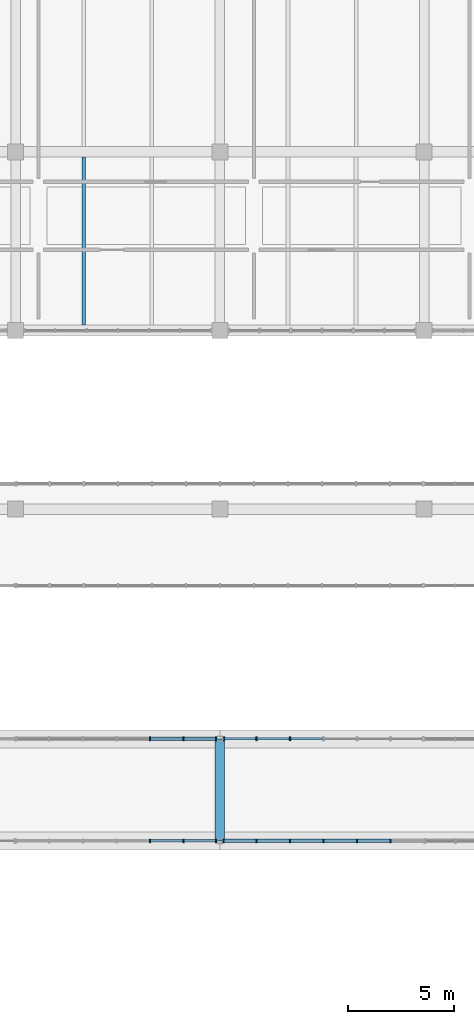
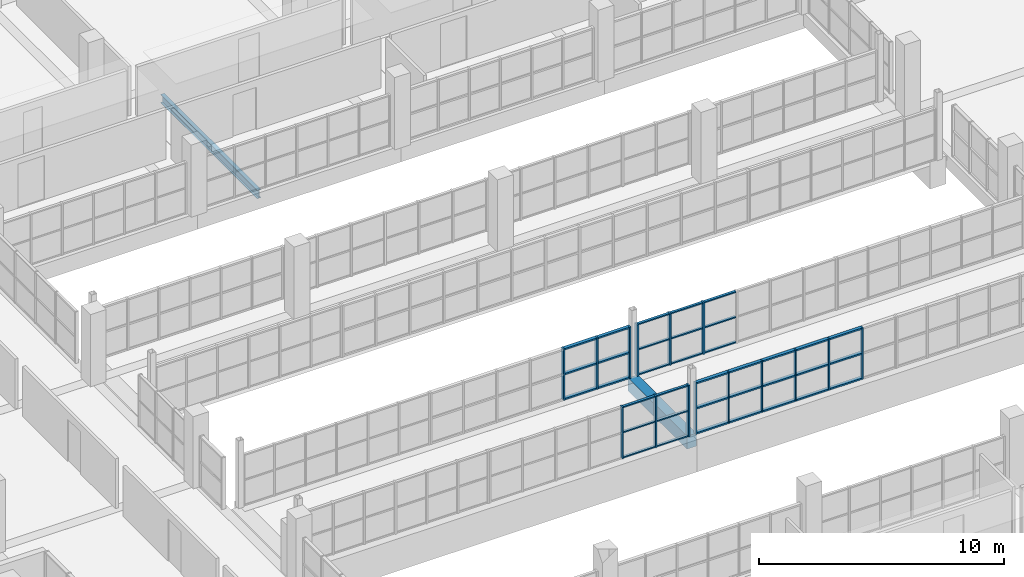
# One storey, part 62 of 147: 51 members, 2 beams, 4 elements without a shape of their own.
"""IFC4 building model written with IfcOpenShell, lengths in metres."""

from ifc_helpers import new_model, si_unit, direction, frame, origin, origin_2d, place, context, subcontext, project, spatial, rectangle, i_section, extrude, material, material_profile, profile_set, type_object, element, aggregate, save


model = new_model("IFC4")

# Units and contexts
model_context = context("Model", 3, precision=1e-05, world=origin(), true_north=direction((0.0, 1.0)))
body_context = subcontext(model_context, "Body", "Model", "MODEL_VIEW")
ifc_project = project(units=[si_unit("LENGTHUNIT", "METRE"), si_unit("AREAUNIT", "SQUARE_METRE"), si_unit("VOLUMEUNIT", "CUBIC_METRE"), si_unit("PLANEANGLEUNIT", "RADIAN"), si_unit("MASSUNIT", "GRAM", prefix="KILO")], contexts=[model_context])

# Site, building, storey
site_placement = place(None, origin())
site = spatial("IfcSite", under=ifc_project, at=site_placement, CompositionType="ELEMENT")
building_placement = place(site_placement, origin())
building = spatial("IfcBuilding", under=site, at=building_placement, Name="Oolite Switchyard Hospital", CompositionType="ELEMENT")
storey_placement = place(building_placement, frame((0.0, 0.0, 9.89990234375)))
storey = spatial("IfcBuildingStorey", under=building, at=storey_placement, Name="L02", CompositionType="ELEMENT", Elevation=9.89990234375)

# Beams
ifc_material_1 = material(Name="Concrete C40/50", Category="concrete")
ifc_material_profile_1 = material_profile(ifc_material_1, rectangle(XDim=0.449951171875, YDim=0.64990234375, at=origin_2d()), Name="RCB450X650")
ifc_profile_set_1 = profile_set([ifc_material_profile_1], Name="Concrete C40/50")
beam_type_1 = type_object("IfcBeamType", Name="BM-RC450X650", PredefinedType="BEAM", material=ifc_profile_set_1)
beam_1_placement = place(storey_placement, frame((163.199951171875, 34.800048828125, -0.324951171875), z_axis=(0.0, 1.0, 0.0), x_axis=(-1.0, 0.0, 0.0)))
element("IfcBeam", 1, at=beam_1_placement, inside=storey, type_object=beam_type_1, Name="L02 Y-Girder 1444", PredefinedType="BEAM", context=body_context, shape_type="SweptSolid", body=[
    extrude(rectangle(XDim=0.449951171875, YDim=0.64990234375, at=origin_2d()), origin(), (0.0, 0.0, 1.0), 4.800048828125),
])
ifc_material_2 = material(Name="Steel ASTM A992 Grade 50", Category="steel")
ifc_material_profile_2 = material_profile(ifc_material_2, i_section(OverallWidth=0.179931640625, OverallDepth=0.4130859375, WebThickness=0.010009765625, FlangeThickness=0.01611328125, at=origin_2d()), Name="W16X50")
ifc_profile_set_2 = profile_set([ifc_material_profile_2], Name="Steel ASTM A992 Grade 50")
beam_type_2 = type_object("IfcBeamType", Name="BM-W16X50", PredefinedType="JOIST", material=ifc_profile_set_2)
beam_2_placement = place(storey_placement, frame((156.800048828125, 59.050048828125, -0.4658203125), z_axis=(0.0, 1.0, 0.0), x_axis=(-1.0, 0.0, 0.0)))
element("IfcBeam", 2, at=beam_2_placement, inside=storey, type_object=beam_type_2, Name="L02 Secondary Steel Joist 1816", PredefinedType="JOIST", context=body_context, shape_type="SweptSolid", body=[
    extrude(i_section(OverallWidth=0.179931640625, OverallDepth=0.4130859375, WebThickness=0.010009765625, FlangeThickness=0.01611328125, at=origin_2d()), origin(), (0.0, 0.0, 1.0), 7.89990234375),
])

# Curtain wall, members
ifc_material_3 = material(Name="Thermally broken aluminum frame with laminated impact glazing", Category="aluminium")
curtain_wall_type = type_object("IfcCurtainWallType", Name="CW-BRG-96X38", PredefinedType="USERDEFINED", material=ifc_material_3)
curtain_wall_1_placement = place(storey_placement, origin())
curtain_wall_1 = element("IfcCurtainWall", 3, at=curtain_wall_1_placement, inside=storey, type_object=curtain_wall_type, Name="L02 Unitised Curtain Wall 229", ObjectType="UNITISED", PredefinedType="USERDEFINED")
ifc_material_4 = material(Name="Aluminium 6063-T6", Category="aluminium")
ifc_material_profile_3 = material_profile(ifc_material_4, rectangle(XDim=0.159912109375, YDim=0.06005859375, at=origin_2d()), Name="CWM60X160")
ifc_profile_set_3 = profile_set([ifc_material_profile_3], Name="Aluminium 6063-T6")
member_type_1 = type_object("IfcMemberType", Name="CW-MUL-180", PredefinedType="MULLION", material=ifc_profile_set_3)
member_1_placement = place(storey_placement, frame((171.2236328125, 34.800048828125, 0.0), z_axis=(0.0, 0.0, 1.0), x_axis=(0.0, -1.0, 0.0)))
member_1 = element("IfcMember", 4, at=member_1_placement, type_object=member_type_1, Name="CW-12 mullion 2", PredefinedType="MULLION", context=body_context, shape_type="SweptSolid", body=[
    extrude(rectangle(XDim=0.159912109375, YDim=0.06005859375, at=origin_2d()), origin(), (0.0, 0.0, 1.0), 2.570068359375),
])
member_2_placement = place(storey_placement, frame((169.647216796875, 34.800048828125, 0.0), z_axis=(0.0, 0.0, 1.0), x_axis=(0.0, -1.0, 0.0)))
member_2 = element("IfcMember", 5, at=member_2_placement, type_object=member_type_1, Name="CW-12 mullion 3", PredefinedType="MULLION", context=body_context, shape_type="SweptSolid", body=[
    extrude(rectangle(XDim=0.159912109375, YDim=0.06005859375, at=origin_2d()), origin(), (0.0, 0.0, 1.0), 2.570068359375),
])
member_3_placement = place(storey_placement, frame((168.071044921875, 34.800048828125, 0.0), z_axis=(0.0, 0.0, 1.0), x_axis=(0.0, -1.0, 0.0)))
member_3 = element("IfcMember", 6, at=member_3_placement, type_object=member_type_1, Name="CW-12 mullion 4", PredefinedType="MULLION", context=body_context, shape_type="SweptSolid", body=[
    extrude(rectangle(XDim=0.159912109375, YDim=0.06005859375, at=origin_2d()), origin(), (0.0, 0.0, 1.0), 2.570068359375),
])
member_4_placement = place(storey_placement, frame((166.49462890625, 34.800048828125, 0.0), z_axis=(0.0, 0.0, 1.0), x_axis=(0.0, -1.0, 0.0)))
member_4 = element("IfcMember", 7, at=member_4_placement, type_object=member_type_1, Name="CW-12 mullion 5", PredefinedType="MULLION", context=body_context, shape_type="SweptSolid", body=[
    extrude(rectangle(XDim=0.159912109375, YDim=0.06005859375, at=origin_2d()), origin(), (0.0, 0.0, 1.0), 2.570068359375),
])
member_5_placement = place(storey_placement, frame((164.918212890625, 34.800048828125, 0.0), z_axis=(0.0, 0.0, 1.0), x_axis=(0.0, -1.0, 0.0)))
member_5 = element("IfcMember", 8, at=member_5_placement, type_object=member_type_1, Name="CW-12 mullion 6", PredefinedType="MULLION", context=body_context, shape_type="SweptSolid", body=[
    extrude(rectangle(XDim=0.159912109375, YDim=0.06005859375, at=origin_2d()), origin(), (0.0, 0.0, 1.0), 2.570068359375),
])
member_6_placement = place(storey_placement, frame((163.3720703125, 34.800048828125, 0.0), z_axis=(0.0, 0.0, 1.0), x_axis=(0.0, -1.0, 0.0)))
member_6 = element("IfcMember", 9, at=member_6_placement, type_object=member_type_1, Name="CW-12 mullion 7", PredefinedType="MULLION", context=body_context, shape_type="SweptSolid", body=[
    extrude(rectangle(XDim=0.159912109375, YDim=0.06005859375, at=origin_2d()), origin(), (0.0, 0.0, 1.0), 2.570068359375),
])

curtain_wall_2_placement = place(storey_placement, origin())
curtain_wall_2 = element("IfcCurtainWall", 10, at=curtain_wall_2_placement, inside=storey, type_object=curtain_wall_type, Name="L02 Unitised Curtain Wall 230", ObjectType="UNITISED", PredefinedType="USERDEFINED")
ifc_material_profile_4 = material_profile(ifc_material_4, rectangle(XDim=0.179931640625, YDim=0.070068359375, at=origin_2d()), Name="CWM70X180")
ifc_profile_set_4 = profile_set([ifc_material_profile_4], Name="Aluminium 6063-T6")
member_type_2 = type_object("IfcMemberType", Name="CW-MUL-220", PredefinedType="MULLION", material=ifc_profile_set_4)
member_7_placement = place(storey_placement, frame((163.02294921875, 34.800048828125, 0.0), z_axis=(0.0, 0.0, 1.0), x_axis=(0.0, -1.0, 0.0)))
member_7 = element("IfcMember", 11, at=member_7_placement, type_object=member_type_2, Name="CW-12 mullion 1", PredefinedType="MULLION", context=body_context, shape_type="SweptSolid", body=[
    extrude(rectangle(XDim=0.179931640625, YDim=0.070068359375, at=origin_2d()), origin(), (0.0, 0.0, 1.0), 2.570068359375),
])
member_8_placement = place(storey_placement, frame((161.481689453125, 34.800048828125, 0.0), z_axis=(0.0, 0.0, 1.0), x_axis=(0.0, -1.0, 0.0)))
member_8 = element("IfcMember", 12, at=member_8_placement, type_object=member_type_2, Name="CW-12 mullion 2", PredefinedType="MULLION", context=body_context, shape_type="SweptSolid", body=[
    extrude(rectangle(XDim=0.179931640625, YDim=0.070068359375, at=origin_2d()), origin(), (0.0, 0.0, 1.0), 2.570068359375),
])
member_9_placement = place(storey_placement, frame((159.9052734375, 34.800048828125, 0.0), z_axis=(0.0, 0.0, 1.0), x_axis=(0.0, -1.0, 0.0)))
member_9 = element("IfcMember", 13, at=member_9_placement, type_object=member_type_2, Name="CW-12 mullion 3", PredefinedType="MULLION", context=body_context, shape_type="SweptSolid", body=[
    extrude(rectangle(XDim=0.179931640625, YDim=0.070068359375, at=origin_2d()), origin(), (0.0, 0.0, 1.0), 2.570068359375),
])

curtain_wall_3_placement = place(storey_placement, origin())
curtain_wall_3 = element("IfcCurtainWall", 14, at=curtain_wall_3_placement, inside=storey, type_object=curtain_wall_type, Name="L02 Unitised Curtain Wall 233", ObjectType="UNITISED", PredefinedType="USERDEFINED")
member_10_placement = place(storey_placement, frame((159.9052734375, 39.60009765625, 0.0), z_axis=(0.0, 0.0, 1.0), x_axis=(0.0, 1.0, 0.0)))
member_10 = element("IfcMember", 15, at=member_10_placement, type_object=member_type_2, Name="CW-12 mullion 5", PredefinedType="MULLION", context=body_context, shape_type="SweptSolid", body=[
    extrude(rectangle(XDim=0.179931640625, YDim=0.070068359375, at=origin_2d()), origin(), (0.0, 0.0, 1.0), 2.570068359375),
])
member_11_placement = place(storey_placement, frame((161.481689453125, 39.60009765625, 0.0), z_axis=(0.0, 0.0, 1.0), x_axis=(0.0, 1.0, 0.0)))
member_11 = element("IfcMember", 16, at=member_11_placement, type_object=member_type_2, Name="CW-12 mullion 6", PredefinedType="MULLION", context=body_context, shape_type="SweptSolid", body=[
    extrude(rectangle(XDim=0.179931640625, YDim=0.070068359375, at=origin_2d()), origin(), (0.0, 0.0, 1.0), 2.570068359375),
])
member_12_placement = place(storey_placement, frame((163.02294921875, 39.60009765625, 0.0), z_axis=(0.0, 0.0, 1.0), x_axis=(0.0, 1.0, 0.0)))
member_12 = element("IfcMember", 17, at=member_12_placement, type_object=member_type_2, Name="CW-12 mullion 7", PredefinedType="MULLION", context=body_context, shape_type="SweptSolid", body=[
    extrude(rectangle(XDim=0.179931640625, YDim=0.070068359375, at=origin_2d()), origin(), (0.0, 0.0, 1.0), 2.570068359375),
])

curtain_wall_4_placement = place(storey_placement, origin())
curtain_wall_4 = element("IfcCurtainWall", 18, at=curtain_wall_4_placement, inside=storey, type_object=curtain_wall_type, Name="L02 Unitised Curtain Wall 234", ObjectType="UNITISED", PredefinedType="USERDEFINED")
ifc_material_profile_5 = material_profile(ifc_material_4, rectangle(XDim=0.199951171875, YDim=0.074951171875, at=origin_2d()), Name="CWM75X200")
ifc_profile_set_5 = profile_set([ifc_material_profile_5], Name="Aluminium 6063-T6")
member_type_3 = type_object("IfcMemberType", Name="CW-MUL-260", PredefinedType="MULLION", material=ifc_profile_set_5)
member_13_placement = place(storey_placement, frame((163.37939453125, 39.60009765625, 0.0), z_axis=(0.0, 0.0, 1.0), x_axis=(0.0, 1.0, 0.0)))
member_13 = element("IfcMember", 19, at=member_13_placement, type_object=member_type_3, Name="CW-12 mullion 1", PredefinedType="MULLION", context=body_context, shape_type="SweptSolid", body=[
    extrude(rectangle(XDim=0.199951171875, YDim=0.074951171875, at=origin_2d()), origin(), (0.0, 0.0, 1.0), 2.570068359375),
])
member_14_placement = place(storey_placement, frame((164.918212890625, 39.60009765625, 0.0), z_axis=(0.0, 0.0, 1.0), x_axis=(0.0, 1.0, 0.0)))
member_14 = element("IfcMember", 20, at=member_14_placement, type_object=member_type_3, Name="CW-12 mullion 2", PredefinedType="MULLION", context=body_context, shape_type="SweptSolid", body=[
    extrude(rectangle(XDim=0.199951171875, YDim=0.074951171875, at=origin_2d()), origin(), (0.0, 0.0, 1.0), 2.570068359375),
])
member_15_placement = place(storey_placement, frame((166.49462890625, 39.60009765625, 0.0), z_axis=(0.0, 0.0, 1.0), x_axis=(0.0, 1.0, 0.0)))
member_15 = element("IfcMember", 21, at=member_15_placement, type_object=member_type_3, Name="CW-12 mullion 3", PredefinedType="MULLION", context=body_context, shape_type="SweptSolid", body=[
    extrude(rectangle(XDim=0.199951171875, YDim=0.074951171875, at=origin_2d()), origin(), (0.0, 0.0, 1.0), 2.570068359375),
])

# Member
ifc_material_profile_6 = material_profile(ifc_material_4, rectangle(XDim=0.1201171875, YDim=0.06005859375, at=origin_2d()), Name="CWT60X120")
ifc_profile_set_6 = profile_set([ifc_material_profile_6], Name="Aluminium 6063-T6")
member_type_4 = type_object("IfcMemberType", Name="CW-TRN-150", PredefinedType="USERDEFINED", material=ifc_profile_set_6)
member_16_placement = place(storey_placement, frame((162.988037109375, 34.800048828125, 0.030029296875), z_axis=(-1.0, 0.0, 0.0), x_axis=(0.0, -1.0, 0.0)))
member_16 = element("IfcMember", 22, at=member_16_placement, type_object=member_type_4, Name="CW-12 transom 1.1", ObjectType="TRANSOM", PredefinedType="USERDEFINED", context=body_context, shape_type="SweptSolid", body=[
    extrude(rectangle(XDim=0.1201171875, YDim=0.06005859375, at=origin_2d()), origin(), (0.0, 0.0, 1.0), 1.471435546875),
])

member_17_placement = place(storey_placement, frame((162.988037109375, 34.800048828125, 1.28515625), z_axis=(-1.0, 0.0, 0.0), x_axis=(0.0, -1.0, 0.0)))
member_17 = element("IfcMember", 23, at=member_17_placement, type_object=member_type_4, Name="CW-12 transom 1.2", ObjectType="TRANSOM", PredefinedType="USERDEFINED", context=body_context, shape_type="SweptSolid", body=[
    extrude(rectangle(XDim=0.1201171875, YDim=0.06005859375, at=origin_2d()), origin(), (0.0, 0.0, 1.0), 1.471435546875),
])

member_18_placement = place(storey_placement, frame((162.988037109375, 34.800048828125, 2.5400390625), z_axis=(-1.0, 0.0, 0.0), x_axis=(0.0, -1.0, 0.0)))
member_18 = element("IfcMember", 24, at=member_18_placement, type_object=member_type_4, Name="CW-12 transom 1.3", ObjectType="TRANSOM", PredefinedType="USERDEFINED", context=body_context, shape_type="SweptSolid", body=[
    extrude(rectangle(XDim=0.1201171875, YDim=0.06005859375, at=origin_2d()), origin(), (0.0, 0.0, 1.0), 1.471435546875),
])

member_19_placement = place(storey_placement, frame((161.44677734375, 34.800048828125, 0.030029296875), z_axis=(-1.0, 0.0, 0.0), x_axis=(0.0, -1.0, 0.0)))
member_19 = element("IfcMember", 25, at=member_19_placement, type_object=member_type_4, Name="CW-12 transom 2.1", ObjectType="TRANSOM", PredefinedType="USERDEFINED", context=body_context, shape_type="SweptSolid", body=[
    extrude(rectangle(XDim=0.1201171875, YDim=0.06005859375, at=origin_2d()), origin(), (0.0, 0.0, 1.0), 1.50634765625),
])

member_20_placement = place(storey_placement, frame((161.44677734375, 34.800048828125, 1.28515625), z_axis=(-1.0, 0.0, 0.0), x_axis=(0.0, -1.0, 0.0)))
member_20 = element("IfcMember", 26, at=member_20_placement, type_object=member_type_4, Name="CW-12 transom 2.2", ObjectType="TRANSOM", PredefinedType="USERDEFINED", context=body_context, shape_type="SweptSolid", body=[
    extrude(rectangle(XDim=0.1201171875, YDim=0.06005859375, at=origin_2d()), origin(), (0.0, 0.0, 1.0), 1.50634765625),
])

member_21_placement = place(storey_placement, frame((161.44677734375, 34.800048828125, 2.5400390625), z_axis=(-1.0, 0.0, 0.0), x_axis=(0.0, -1.0, 0.0)))
member_21 = element("IfcMember", 27, at=member_21_placement, type_object=member_type_4, Name="CW-12 transom 2.3", ObjectType="TRANSOM", PredefinedType="USERDEFINED", context=body_context, shape_type="SweptSolid", body=[
    extrude(rectangle(XDim=0.1201171875, YDim=0.06005859375, at=origin_2d()), origin(), (0.0, 0.0, 1.0), 1.50634765625),
])

aggregate(curtain_wall_2, [member_7, member_8, member_9, member_16, member_17, member_18, member_19, member_20, member_21])

member_22_placement = place(storey_placement, frame((163.4169921875, 39.60009765625, 0.030029296875), z_axis=(1.0, 0.0, 0.0), x_axis=(0.0, 1.0, 0.0)))
member_22 = element("IfcMember", 28, at=member_22_placement, type_object=member_type_4, Name="CW-12 transom 1.1", ObjectType="TRANSOM", PredefinedType="USERDEFINED", context=body_context, shape_type="SweptSolid", body=[
    extrude(rectangle(XDim=0.1201171875, YDim=0.06005859375, at=origin_2d()), origin(), (0.0, 0.0, 1.0), 1.4638671875),
])

member_23_placement = place(storey_placement, frame((163.4169921875, 39.60009765625, 1.28515625), z_axis=(1.0, 0.0, 0.0), x_axis=(0.0, 1.0, 0.0)))
member_23 = element("IfcMember", 29, at=member_23_placement, type_object=member_type_4, Name="CW-12 transom 1.2", ObjectType="TRANSOM", PredefinedType="USERDEFINED", context=body_context, shape_type="SweptSolid", body=[
    extrude(rectangle(XDim=0.1201171875, YDim=0.06005859375, at=origin_2d()), origin(), (0.0, 0.0, 1.0), 1.4638671875),
])

member_24_placement = place(storey_placement, frame((163.4169921875, 39.60009765625, 2.5400390625), z_axis=(1.0, 0.0, 0.0), x_axis=(0.0, 1.0, 0.0)))
member_24 = element("IfcMember", 30, at=member_24_placement, type_object=member_type_4, Name="CW-12 transom 1.3", ObjectType="TRANSOM", PredefinedType="USERDEFINED", context=body_context, shape_type="SweptSolid", body=[
    extrude(rectangle(XDim=0.1201171875, YDim=0.06005859375, at=origin_2d()), origin(), (0.0, 0.0, 1.0), 1.4638671875),
])

member_25_placement = place(storey_placement, frame((164.955810546875, 39.60009765625, 0.030029296875), z_axis=(1.0, 0.0, 0.0), x_axis=(0.0, 1.0, 0.0)))
member_25 = element("IfcMember", 31, at=member_25_placement, type_object=member_type_4, Name="CW-12 transom 2.1", ObjectType="TRANSOM", PredefinedType="USERDEFINED", context=body_context, shape_type="SweptSolid", body=[
    extrude(rectangle(XDim=0.1201171875, YDim=0.06005859375, at=origin_2d()), origin(), (0.0, 0.0, 1.0), 1.50146484375),
])

member_26_placement = place(storey_placement, frame((164.955810546875, 39.60009765625, 1.28515625), z_axis=(1.0, 0.0, 0.0), x_axis=(0.0, 1.0, 0.0)))
member_26 = element("IfcMember", 32, at=member_26_placement, type_object=member_type_4, Name="CW-12 transom 2.2", ObjectType="TRANSOM", PredefinedType="USERDEFINED", context=body_context, shape_type="SweptSolid", body=[
    extrude(rectangle(XDim=0.1201171875, YDim=0.06005859375, at=origin_2d()), origin(), (0.0, 0.0, 1.0), 1.50146484375),
])

member_27_placement = place(storey_placement, frame((164.955810546875, 39.60009765625, 2.5400390625), z_axis=(1.0, 0.0, 0.0), x_axis=(0.0, 1.0, 0.0)))
member_27 = element("IfcMember", 33, at=member_27_placement, type_object=member_type_4, Name="CW-12 transom 2.3", ObjectType="TRANSOM", PredefinedType="USERDEFINED", context=body_context, shape_type="SweptSolid", body=[
    extrude(rectangle(XDim=0.1201171875, YDim=0.06005859375, at=origin_2d()), origin(), (0.0, 0.0, 1.0), 1.50146484375),
])

member_28_placement = place(storey_placement, frame((166.5322265625, 39.60009765625, 0.030029296875), z_axis=(1.0, 0.0, 0.0), x_axis=(0.0, 1.0, 0.0)))
member_28 = element("IfcMember", 34, at=member_28_placement, type_object=member_type_4, Name="CW-12 transom 3.1", ObjectType="TRANSOM", PredefinedType="USERDEFINED", context=body_context, shape_type="SweptSolid", body=[
    extrude(rectangle(XDim=0.1201171875, YDim=0.06005859375, at=origin_2d()), origin(), (0.0, 0.0, 1.0), 1.501220703125),
])

member_29_placement = place(storey_placement, frame((166.5322265625, 39.60009765625, 1.28515625), z_axis=(1.0, 0.0, 0.0), x_axis=(0.0, 1.0, 0.0)))
member_29 = element("IfcMember", 35, at=member_29_placement, type_object=member_type_4, Name="CW-12 transom 3.2", ObjectType="TRANSOM", PredefinedType="USERDEFINED", context=body_context, shape_type="SweptSolid", body=[
    extrude(rectangle(XDim=0.1201171875, YDim=0.06005859375, at=origin_2d()), origin(), (0.0, 0.0, 1.0), 1.501220703125),
])

member_30_placement = place(storey_placement, frame((166.5322265625, 39.60009765625, 2.5400390625), z_axis=(1.0, 0.0, 0.0), x_axis=(0.0, 1.0, 0.0)))
member_30 = element("IfcMember", 36, at=member_30_placement, type_object=member_type_4, Name="CW-12 transom 3.3", ObjectType="TRANSOM", PredefinedType="USERDEFINED", context=body_context, shape_type="SweptSolid", body=[
    extrude(rectangle(XDim=0.1201171875, YDim=0.06005859375, at=origin_2d()), origin(), (0.0, 0.0, 1.0), 1.501220703125),
])

aggregate(curtain_wall_4, [member_13, member_14, member_15, member_22, member_23, member_24, member_25, member_26, member_27, member_28, member_29, member_30])

ifc_material_profile_7 = material_profile(ifc_material_4, rectangle(XDim=0.159912109375, YDim=0.074951171875, at=origin_2d()), Name="CWT75X160")
ifc_profile_set_7 = profile_set([ifc_material_profile_7], Name="Aluminium 6063-T6")
member_type_5 = type_object("IfcMemberType", Name="CW-TRN-180", PredefinedType="USERDEFINED", material=ifc_profile_set_7)
member_31_placement = place(storey_placement, frame((171.193603515625, 34.800048828125, 0.03759765625), z_axis=(-1.0, 0.0, 0.0), x_axis=(0.0, -1.0, 0.0)))
member_31 = element("IfcMember", 37, at=member_31_placement, type_object=member_type_5, Name="CW-12 transom 2.1", ObjectType="TRANSOM", PredefinedType="USERDEFINED", context=body_context, shape_type="SweptSolid", body=[
    extrude(rectangle(XDim=0.159912109375, YDim=0.074951171875, at=origin_2d()), origin(), (0.0, 0.0, 1.0), 1.516357421875),
])

member_32_placement = place(storey_placement, frame((171.193603515625, 34.800048828125, 1.28515625), z_axis=(-1.0, 0.0, 0.0), x_axis=(0.0, -1.0, 0.0)))
member_32 = element("IfcMember", 38, at=member_32_placement, type_object=member_type_5, Name="CW-12 transom 2.2", ObjectType="TRANSOM", PredefinedType="USERDEFINED", context=body_context, shape_type="SweptSolid", body=[
    extrude(rectangle(XDim=0.159912109375, YDim=0.074951171875, at=origin_2d()), origin(), (0.0, 0.0, 1.0), 1.516357421875),
])

member_33_placement = place(storey_placement, frame((171.193603515625, 34.800048828125, 2.53271484375), z_axis=(-1.0, 0.0, 0.0), x_axis=(0.0, -1.0, 0.0)))
member_33 = element("IfcMember", 39, at=member_33_placement, type_object=member_type_5, Name="CW-12 transom 2.3", ObjectType="TRANSOM", PredefinedType="USERDEFINED", context=body_context, shape_type="SweptSolid", body=[
    extrude(rectangle(XDim=0.159912109375, YDim=0.074951171875, at=origin_2d()), origin(), (0.0, 0.0, 1.0), 1.516357421875),
])

member_34_placement = place(storey_placement, frame((169.617431640625, 34.800048828125, 0.03759765625), z_axis=(-1.0, 0.0, 0.0), x_axis=(0.0, -1.0, 0.0)))
member_34 = element("IfcMember", 40, at=member_34_placement, type_object=member_type_5, Name="CW-12 transom 3.1", ObjectType="TRANSOM", PredefinedType="USERDEFINED", context=body_context, shape_type="SweptSolid", body=[
    extrude(rectangle(XDim=0.159912109375, YDim=0.074951171875, at=origin_2d()), origin(), (0.0, 0.0, 1.0), 1.516357421875),
])

member_35_placement = place(storey_placement, frame((169.617431640625, 34.800048828125, 1.28515625), z_axis=(-1.0, 0.0, 0.0), x_axis=(0.0, -1.0, 0.0)))
member_35 = element("IfcMember", 41, at=member_35_placement, type_object=member_type_5, Name="CW-12 transom 3.2", ObjectType="TRANSOM", PredefinedType="USERDEFINED", context=body_context, shape_type="SweptSolid", body=[
    extrude(rectangle(XDim=0.159912109375, YDim=0.074951171875, at=origin_2d()), origin(), (0.0, 0.0, 1.0), 1.516357421875),
])

member_36_placement = place(storey_placement, frame((169.617431640625, 34.800048828125, 2.53271484375), z_axis=(-1.0, 0.0, 0.0), x_axis=(0.0, -1.0, 0.0)))
member_36 = element("IfcMember", 42, at=member_36_placement, type_object=member_type_5, Name="CW-12 transom 3.3", ObjectType="TRANSOM", PredefinedType="USERDEFINED", context=body_context, shape_type="SweptSolid", body=[
    extrude(rectangle(XDim=0.159912109375, YDim=0.074951171875, at=origin_2d()), origin(), (0.0, 0.0, 1.0), 1.516357421875),
])

member_37_placement = place(storey_placement, frame((168.041015625, 34.800048828125, 0.03759765625), z_axis=(-1.0, 0.0, 0.0), x_axis=(0.0, -1.0, 0.0)))
member_37 = element("IfcMember", 43, at=member_37_placement, type_object=member_type_5, Name="CW-12 transom 4.1", ObjectType="TRANSOM", PredefinedType="USERDEFINED", context=body_context, shape_type="SweptSolid", body=[
    extrude(rectangle(XDim=0.159912109375, YDim=0.074951171875, at=origin_2d()), origin(), (0.0, 0.0, 1.0), 1.516357421875),
])

member_38_placement = place(storey_placement, frame((168.041015625, 34.800048828125, 1.28515625), z_axis=(-1.0, 0.0, 0.0), x_axis=(0.0, -1.0, 0.0)))
member_38 = element("IfcMember", 44, at=member_38_placement, type_object=member_type_5, Name="CW-12 transom 4.2", ObjectType="TRANSOM", PredefinedType="USERDEFINED", context=body_context, shape_type="SweptSolid", body=[
    extrude(rectangle(XDim=0.159912109375, YDim=0.074951171875, at=origin_2d()), origin(), (0.0, 0.0, 1.0), 1.516357421875),
])

member_39_placement = place(storey_placement, frame((168.041015625, 34.800048828125, 2.53271484375), z_axis=(-1.0, 0.0, 0.0), x_axis=(0.0, -1.0, 0.0)))
member_39 = element("IfcMember", 45, at=member_39_placement, type_object=member_type_5, Name="CW-12 transom 4.3", ObjectType="TRANSOM", PredefinedType="USERDEFINED", context=body_context, shape_type="SweptSolid", body=[
    extrude(rectangle(XDim=0.159912109375, YDim=0.074951171875, at=origin_2d()), origin(), (0.0, 0.0, 1.0), 1.516357421875),
])

member_40_placement = place(storey_placement, frame((166.464599609375, 34.800048828125, 0.03759765625), z_axis=(-1.0, 0.0, 0.0), x_axis=(0.0, -1.0, 0.0)))
member_40 = element("IfcMember", 46, at=member_40_placement, type_object=member_type_5, Name="CW-12 transom 5.1", ObjectType="TRANSOM", PredefinedType="USERDEFINED", context=body_context, shape_type="SweptSolid", body=[
    extrude(rectangle(XDim=0.159912109375, YDim=0.074951171875, at=origin_2d()), origin(), (0.0, 0.0, 1.0), 1.516357421875),
])

member_41_placement = place(storey_placement, frame((166.464599609375, 34.800048828125, 1.28515625), z_axis=(-1.0, 0.0, 0.0), x_axis=(0.0, -1.0, 0.0)))
member_41 = element("IfcMember", 47, at=member_41_placement, type_object=member_type_5, Name="CW-12 transom 5.2", ObjectType="TRANSOM", PredefinedType="USERDEFINED", context=body_context, shape_type="SweptSolid", body=[
    extrude(rectangle(XDim=0.159912109375, YDim=0.074951171875, at=origin_2d()), origin(), (0.0, 0.0, 1.0), 1.516357421875),
])

member_42_placement = place(storey_placement, frame((166.464599609375, 34.800048828125, 2.53271484375), z_axis=(-1.0, 0.0, 0.0), x_axis=(0.0, -1.0, 0.0)))
member_42 = element("IfcMember", 48, at=member_42_placement, type_object=member_type_5, Name="CW-12 transom 5.3", ObjectType="TRANSOM", PredefinedType="USERDEFINED", context=body_context, shape_type="SweptSolid", body=[
    extrude(rectangle(XDim=0.159912109375, YDim=0.074951171875, at=origin_2d()), origin(), (0.0, 0.0, 1.0), 1.516357421875),
])

member_43_placement = place(storey_placement, frame((164.888427734375, 34.800048828125, 0.03759765625), z_axis=(-1.0, 0.0, 0.0), x_axis=(0.0, -1.0, 0.0)))
member_43 = element("IfcMember", 49, at=member_43_placement, type_object=member_type_5, Name="CW-12 transom 6.1", ObjectType="TRANSOM", PredefinedType="USERDEFINED", context=body_context, shape_type="SweptSolid", body=[
    extrude(rectangle(XDim=0.159912109375, YDim=0.074951171875, at=origin_2d()), origin(), (0.0, 0.0, 1.0), 1.486328125),
])

member_44_placement = place(storey_placement, frame((164.888427734375, 34.800048828125, 1.28515625), z_axis=(-1.0, 0.0, 0.0), x_axis=(0.0, -1.0, 0.0)))
member_44 = element("IfcMember", 50, at=member_44_placement, type_object=member_type_5, Name="CW-12 transom 6.2", ObjectType="TRANSOM", PredefinedType="USERDEFINED", context=body_context, shape_type="SweptSolid", body=[
    extrude(rectangle(XDim=0.159912109375, YDim=0.074951171875, at=origin_2d()), origin(), (0.0, 0.0, 1.0), 1.486328125),
])

member_45_placement = place(storey_placement, frame((164.888427734375, 34.800048828125, 2.53271484375), z_axis=(-1.0, 0.0, 0.0), x_axis=(0.0, -1.0, 0.0)))
member_45 = element("IfcMember", 51, at=member_45_placement, type_object=member_type_5, Name="CW-12 transom 6.3", ObjectType="TRANSOM", PredefinedType="USERDEFINED", context=body_context, shape_type="SweptSolid", body=[
    extrude(rectangle(XDim=0.159912109375, YDim=0.074951171875, at=origin_2d()), origin(), (0.0, 0.0, 1.0), 1.486328125),
])

aggregate(curtain_wall_1, [member_1, member_2, member_3, member_4, member_5, member_6, member_31, member_32, member_33, member_34, member_35, member_36, member_37, member_38, member_39, member_40, member_41, member_42, member_43, member_44, member_45])

member_46_placement = place(storey_placement, frame((159.9404296875, 39.60009765625, 0.03759765625), z_axis=(1.0, 0.0, 0.0), x_axis=(0.0, 1.0, 0.0)))
member_46 = element("IfcMember", 52, at=member_46_placement, type_object=member_type_5, Name="CW-12 transom 5.1", ObjectType="TRANSOM", PredefinedType="USERDEFINED", context=body_context, shape_type="SweptSolid", body=[
    extrude(rectangle(XDim=0.159912109375, YDim=0.074951171875, at=origin_2d()), origin(), (0.0, 0.0, 1.0), 1.50634765625),
])

member_47_placement = place(storey_placement, frame((159.9404296875, 39.60009765625, 1.28515625), z_axis=(1.0, 0.0, 0.0), x_axis=(0.0, 1.0, 0.0)))
member_47 = element("IfcMember", 53, at=member_47_placement, type_object=member_type_5, Name="CW-12 transom 5.2", ObjectType="TRANSOM", PredefinedType="USERDEFINED", context=body_context, shape_type="SweptSolid", body=[
    extrude(rectangle(XDim=0.159912109375, YDim=0.074951171875, at=origin_2d()), origin(), (0.0, 0.0, 1.0), 1.50634765625),
])

member_48_placement = place(storey_placement, frame((159.9404296875, 39.60009765625, 2.53271484375), z_axis=(1.0, 0.0, 0.0), x_axis=(0.0, 1.0, 0.0)))
member_48 = element("IfcMember", 54, at=member_48_placement, type_object=member_type_5, Name="CW-12 transom 5.3", ObjectType="TRANSOM", PredefinedType="USERDEFINED", context=body_context, shape_type="SweptSolid", body=[
    extrude(rectangle(XDim=0.159912109375, YDim=0.074951171875, at=origin_2d()), origin(), (0.0, 0.0, 1.0), 1.50634765625),
])

member_49_placement = place(storey_placement, frame((161.5166015625, 39.60009765625, 0.03759765625), z_axis=(1.0, 0.0, 0.0), x_axis=(0.0, 1.0, 0.0)))
member_49 = element("IfcMember", 55, at=member_49_placement, type_object=member_type_5, Name="CW-12 transom 6.1", ObjectType="TRANSOM", PredefinedType="USERDEFINED", context=body_context, shape_type="SweptSolid", body=[
    extrude(rectangle(XDim=0.159912109375, YDim=0.074951171875, at=origin_2d()), origin(), (0.0, 0.0, 1.0), 1.471435546875),
])

member_50_placement = place(storey_placement, frame((161.5166015625, 39.60009765625, 1.28515625), z_axis=(1.0, 0.0, 0.0), x_axis=(0.0, 1.0, 0.0)))
member_50 = element("IfcMember", 56, at=member_50_placement, type_object=member_type_5, Name="CW-12 transom 6.2", ObjectType="TRANSOM", PredefinedType="USERDEFINED", context=body_context, shape_type="SweptSolid", body=[
    extrude(rectangle(XDim=0.159912109375, YDim=0.074951171875, at=origin_2d()), origin(), (0.0, 0.0, 1.0), 1.471435546875),
])

member_51_placement = place(storey_placement, frame((161.5166015625, 39.60009765625, 2.53271484375), z_axis=(1.0, 0.0, 0.0), x_axis=(0.0, 1.0, 0.0)))
member_51 = element("IfcMember", 57, at=member_51_placement, type_object=member_type_5, Name="CW-12 transom 6.3", ObjectType="TRANSOM", PredefinedType="USERDEFINED", context=body_context, shape_type="SweptSolid", body=[
    extrude(rectangle(XDim=0.159912109375, YDim=0.074951171875, at=origin_2d()), origin(), (0.0, 0.0, 1.0), 1.471435546875),
])

aggregate(curtain_wall_3, [member_10, member_11, member_12, member_46, member_47, member_48, member_49, member_50, member_51])

save(model, "model.ifc")
